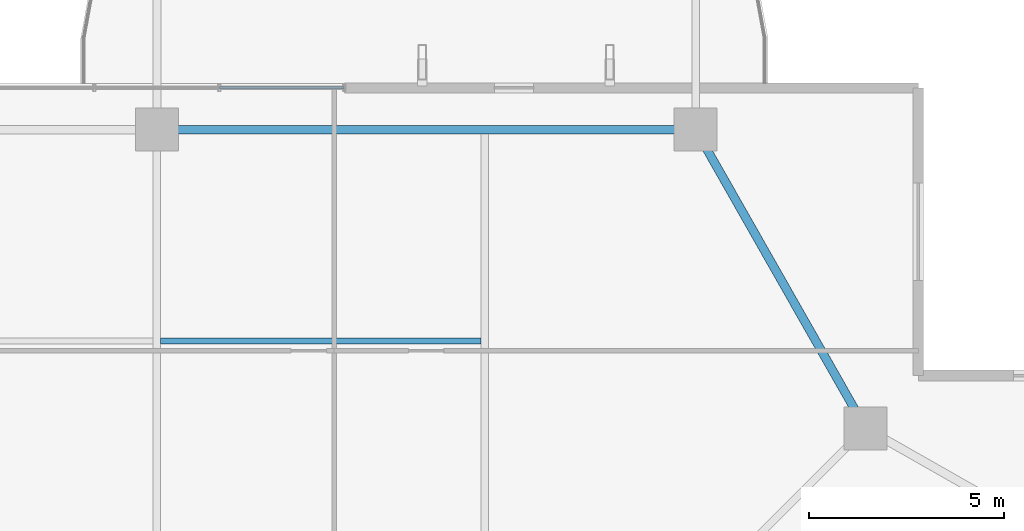
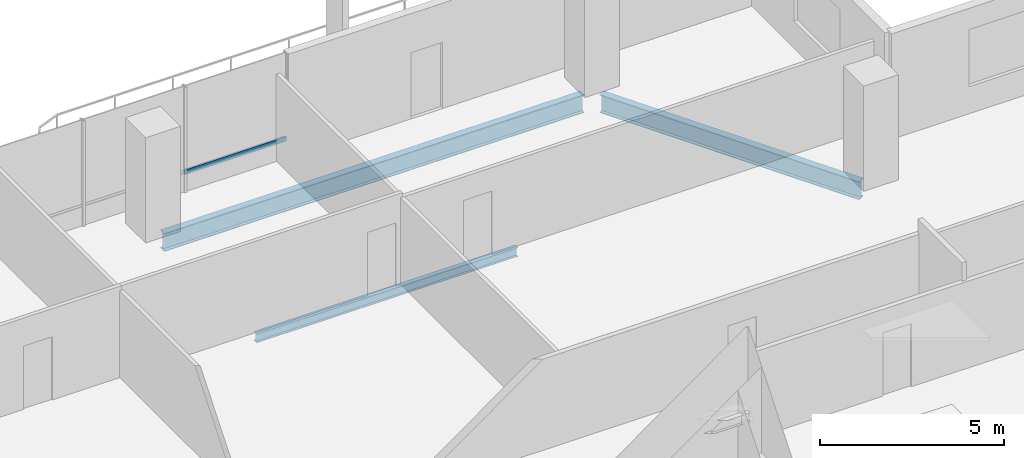
# One storey, part 14 of 24: 3 beams, 1 member, 1 element without a shape of its own.
"""IFC4 building model written with IfcOpenShell, lengths in metres."""

from ifc_helpers import new_model, si_unit, direction, frame, origin, origin_2d, place, context, subcontext, project, spatial, hollow_rectangle, i_section, extrude, material, layer, layer_set, material_profile, profile_set, type_object, element, aggregate, save


model = new_model("IFC4")

# Units and contexts
model_context = context("Model", 3, precision=1e-05, world=origin(), true_north=direction((0.0, 1.0)))
body_context = subcontext(model_context, "Body", "Model", "MODEL_VIEW")
ifc_project = project(units=[si_unit("LENGTHUNIT", "METRE"), si_unit("AREAUNIT", "SQUARE_METRE"), si_unit("VOLUMEUNIT", "CUBIC_METRE"), si_unit("PLANEANGLEUNIT", "RADIAN"), si_unit("MASSUNIT", "GRAM", prefix="KILO")], contexts=[model_context])

# Site, building, storey
site_placement = place(None, origin())
site = spatial("IfcSite", under=ifc_project, at=site_placement, CompositionType="ELEMENT")
building_placement = place(site_placement, origin())
building = spatial("IfcBuilding", under=site, at=building_placement, Name="Belovzor Exchange Tower", CompositionType="ELEMENT")
storey_placement = place(building_placement, frame((0.0, 0.0, 218.699951171875)))
storey = spatial("IfcBuildingStorey", under=building, at=storey_placement, Name="L54", CompositionType="ELEMENT", Elevation=218.699951171875)

# Beam
ifc_material_1 = material(Name="Steel S355", Category="steel")
ifc_material_profile_1 = material_profile(ifc_material_1, i_section(OverallWidth=0.14990234375, OverallDepth=0.300048828125, WebThickness=0.007080078125, FlangeThickness=0.0107421875, at=origin_2d()))
ifc_profile_set_1 = profile_set([ifc_material_profile_1], Name="Steel S355")
beam_type_1 = type_object("IfcBeamType", Name="Secondary Trim Floor Joist IPE 300", PredefinedType="BEAM", material=ifc_profile_set_1)
beam_1_placement = place(storey_placement, frame((28.89501953125, 49.18701171875, -0.39990234375), z_axis=(1.0, 0.0, 0.0), x_axis=(0.0, 1.0, 0.0)))
element("IfcBeam", 1, at=beam_1_placement, inside=storey, type_object=beam_type_1, Name="FJ-300 Secondary Trim Floor Joist IPE 300", PredefinedType="BEAM", context=body_context, shape_type="SweptSolid", body=[
    extrude(i_section(OverallWidth=0.14990234375, OverallDepth=0.300048828125, WebThickness=0.007080078125, FlangeThickness=0.0107421875, at=origin_2d()), origin(), (0.0, 0.0, 1.0), 8.2099609375),
])

# Curtain wall, member
ifc_material_2 = material(Name="Anodised Aluminium Framing", Category="aluminium")
ifc_layer = layer(ifc_material_2, 0.179931640625)
ifc_layer_set = layer_set([ifc_layer], Name="Anodised Aluminium Framing")
curtain_wall_type = type_object("IfcCurtainWallType", Name="Recessed Loggia Low-Iron Triple-Glazed Curtain Wall", PredefinedType="NOTDEFINED", material=ifc_layer_set)
curtain_wall_placement = place(storey_placement, origin())
curtain_wall = element("IfcCurtainWall", 2, at=curtain_wall_placement, inside=storey, type_object=curtain_wall_type, Name="CW3 Recessed Loggia Low-Iron Triple-Glazed Curtain Wall L54", PredefinedType="NOTDEFINED")
ifc_material_3 = material(Name="Steel S355", Category="steel")
ifc_material_profile_2 = material_profile(ifc_material_3, hollow_rectangle(XDim=0.06005859375, YDim=0.14990234375, WallThickness=0.00390625, at=origin_2d()))
ifc_profile_set_2 = profile_set([ifc_material_profile_2], Name="Steel S355")
member_type = type_object("IfcMemberType", Name="Thermally Broken Curtain Wall Transom 150x60", PredefinedType="USERDEFINED", material=ifc_profile_set_2)
member_placement = place(storey_placement, frame((30.407958984375, 55.669921875, 0.630126953125), z_axis=(1.0, 0.0, 0.0), x_axis=(0.0, 1.0, 0.0)))
member = element("IfcMember", 3, at=member_placement, type_object=member_type, Name="CW-T150 Curtain Wall Transom 3", ObjectType="TRANSOM", PredefinedType="USERDEFINED", context=body_context, shape_type="SweptSolid", body=[
    extrude(hollow_rectangle(XDim=0.06005859375, YDim=0.14990234375, WallThickness=0.00390625, at=origin_2d()), origin(), (0.0, 0.0, 1.0), 3.18408203125),
])
aggregate(curtain_wall, [member])

# Beams
ifc_material_4 = material(Name="Steel S355", Category="steel")
ifc_material_profile_3 = material_profile(ifc_material_4, i_section(OverallWidth=0.219970703125, OverallDepth=0.60009765625, WebThickness=0.011962890625, FlangeThickness=0.01904296875, at=origin_2d()))
ifc_profile_set_3 = profile_set([ifc_material_profile_3], Name="Steel S355")
beam_type_2 = type_object("IfcBeamType", Name="Zone 4 Flare Primary Girder IPE 600", PredefinedType="BEAM", material=ifc_profile_set_3)
beam_2_placement = place(storey_placement, frame((46.800048828125, 47.212890625, -0.550048828125), z_axis=(-0.494222323641, 0.869335547884, 0.0), x_axis=(-0.869335547884, -0.494222323641, 0.0)))
element("IfcBeam", 4, at=beam_2_placement, inside=storey, type_object=beam_type_2, Name="FG-Z4 Zone 4 Flare Primary Girder IPE 600", PredefinedType="BEAM", context=body_context, shape_type="SweptSolid", body=[
    extrude(i_section(OverallWidth=0.219970703125, OverallDepth=0.60009765625, WebThickness=0.011962890625, FlangeThickness=0.01904296875, at=origin_2d()), origin(), (0.0, 0.0, 1.0), 8.19482421875),
])
beam_3_placement = place(storey_placement, frame((42.297119140625, 54.60009765625, -0.550048828125), z_axis=(-1.0, 0.0, 0.0), x_axis=(0.0, -1.0, 0.0)))
element("IfcBeam", 5, at=beam_3_placement, inside=storey, type_object=beam_type_2, Name="FG-Z4 Zone 4 Flare Primary Girder IPE 600", PredefinedType="BEAM", context=body_context, shape_type="SweptSolid", body=[
    extrude(i_section(OverallWidth=0.219970703125, OverallDepth=0.60009765625, WebThickness=0.011962890625, FlangeThickness=0.01904296875, at=origin_2d()), origin(), (0.0, 0.0, 1.0), 13.195068359375),
])

save(model, "model.ifc")
